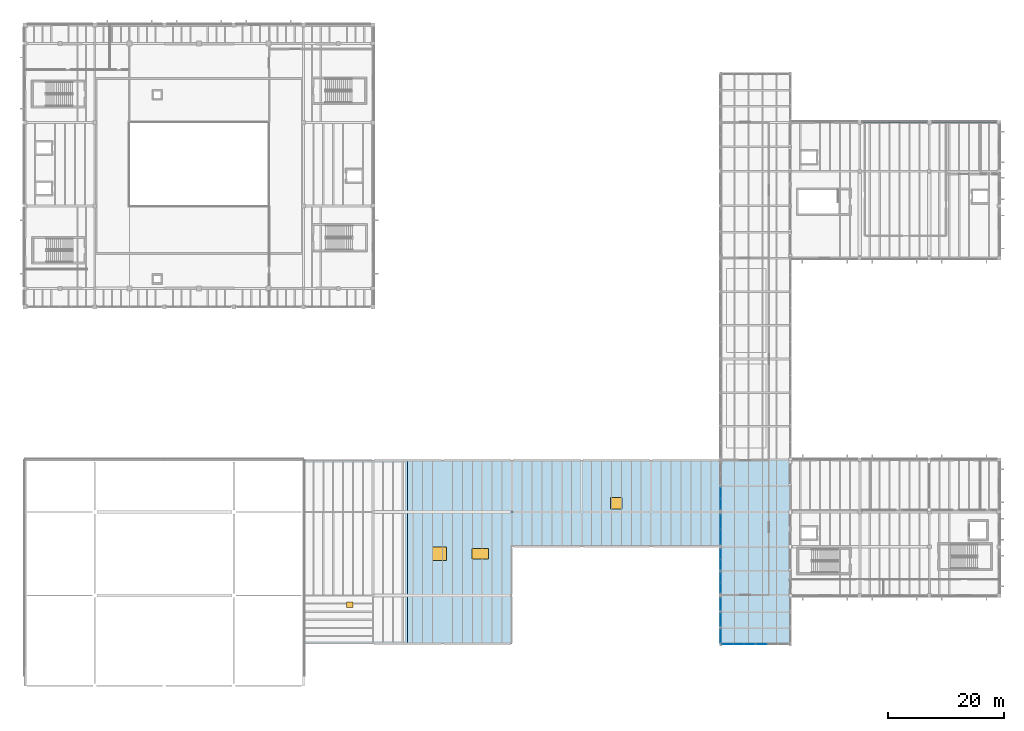
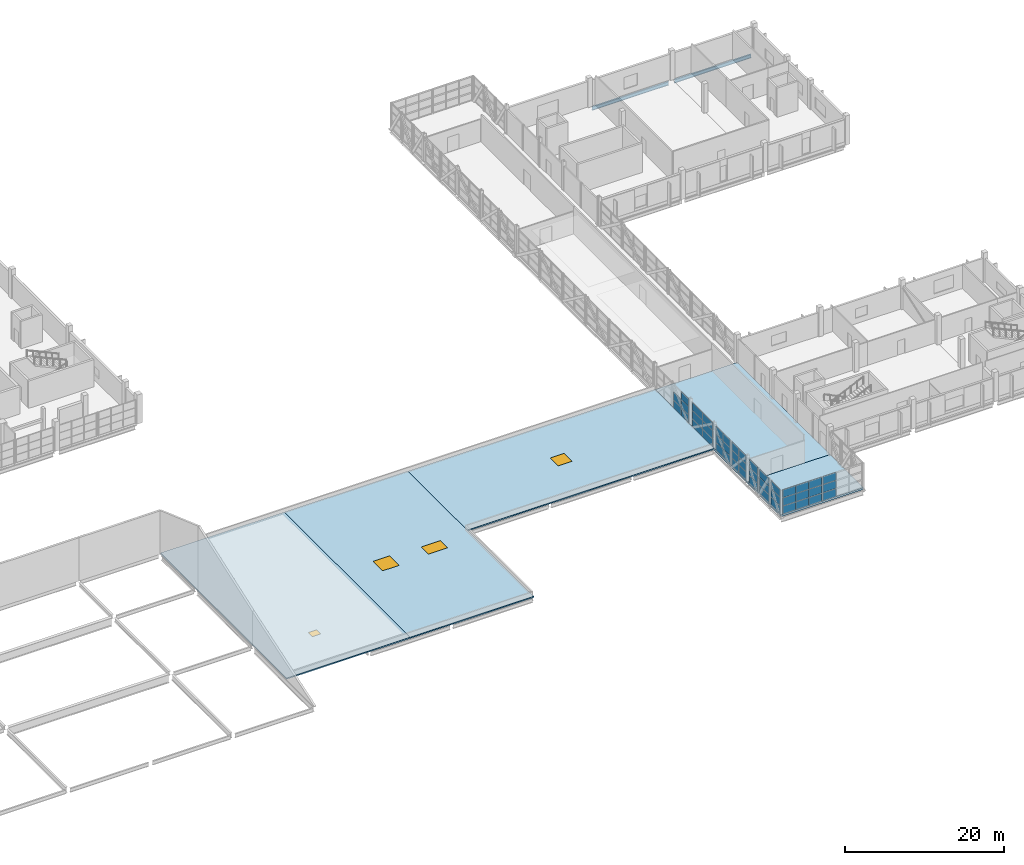
# One storey, part 39 of 63: 44 plates, 5 slabs, 3 windows, 2 beams, 1 door, 4 openings, 9 elements without a shape of their own.
"""IFC4 building model written with IfcOpenShell, lengths in metres."""

from ifc_helpers import new_model, si_unit, direction, frame, origin, origin_2d, place, context, subcontext, project, spatial, polyline, rectangle, i_section, outline, extrude, material, layer, layer_set, material_profile, profile_set, type_object, element, fill, aggregate, save


model = new_model("IFC4")

# Units and contexts
model_context = context("Model", 3, precision=1e-05, world=origin(), true_north=direction((0.0, 1.0)))
body_context = subcontext(model_context, "Body", "Model", "MODEL_VIEW")
ifc_project = project(units=[si_unit("LENGTHUNIT", "METRE"), si_unit("AREAUNIT", "SQUARE_METRE"), si_unit("VOLUMEUNIT", "CUBIC_METRE"), si_unit("PLANEANGLEUNIT", "RADIAN"), si_unit("MASSUNIT", "GRAM", prefix="KILO")], contexts=[model_context])

# Site, building, storey
site_placement = place(None, origin())
site = spatial("IfcSite", under=ifc_project, at=site_placement, CompositionType="ELEMENT")
building_placement = place(site_placement, origin())
building = spatial("IfcBuilding", under=site, at=building_placement, Name="Kelmvaro Bay Concert Hall", CompositionType="ELEMENT")
storey_placement = place(building_placement, frame((0.0, 0.0, 13.800048828125)))
storey = spatial("IfcBuildingStorey", under=building, at=storey_placement, Name="L03", CompositionType="ELEMENT", Elevation=13.800048828125)

# Beams
ifc_material_1 = material(Name="Steel ASTM A992 Grade 50", Category="steel")
ifc_material_profile = material_profile(ifc_material_1, i_section(OverallWidth=0.2099609375, OverallDepth=0.535888671875, WebThickness=0.010986328125, FlangeThickness=0.017333984375, at=origin_2d()), Name="W21X68")
ifc_profile_set = profile_set([ifc_material_profile], Name="Steel ASTM A992 Grade 50")
beam_type = type_object("IfcBeamType", Name="Crystal Roof Tie Girder W21x68", PredefinedType="BEAM", material=ifc_profile_set)
for number, where, z_axis, x_axis, name in (
    (1, (144.425048828125, 97.199951171875, -0.548095703125), (1.0, 0.0, 0.0), (0.0, 1.0, 0.0), "L03 Girder BM-L03-EW-1394"),
    (2, (156.425048828125, 97.199951171875, -0.548095703125), (1.0, 0.0, 0.0), (0.0, 1.0, 0.0), "L03 Girder BM-L03-EW-1395"),
):
    element("IfcBeam", number, at=place(storey_placement, frame(where, z_axis=z_axis, x_axis=x_axis)), inside=storey, type_object=beam_type, Name=name, PredefinedType="BEAM", context=body_context, shape_type="SweptSolid", body=[
        extrude(i_section(OverallWidth=0.2099609375, OverallDepth=0.535888671875, WebThickness=0.010986328125, FlangeThickness=0.017333984375, at=origin_2d()), origin(), (0.0, 0.0, 1.0), 11.14990234375),
    ])

# Slabs
ifc_material_2 = material(Name="Concrete C40/50", Category="concrete")
ifc_layer_1 = layer(ifc_material_2, 0.2900390625)
ifc_layer_set_1 = layer_set([ifc_layer_1], Name="Concrete C40/50")
slab_type_1 = type_object("IfcSlabType", Name="Bridge Composite Deck Slab 290", PredefinedType="FLOOR", material=ifc_layer_set_1)
slab_1_placement = place(storey_placement, frame((0.0, 0.0, -0.2900390625)))
element("IfcSlab", 3, at=slab_1_placement, inside=storey, type_object=slab_type_1, Name="L03 Structural Slab BRG-SC", PredefinedType="FLOOR", context=body_context, shape_type="SweptSolid", body=[
    extrude(outline(polyline([(120.0, 7.199951171875), (132.0, 7.199951171875), (132.0, 15.60009765625), (120.0, 15.60009765625), (120.0, 7.199951171875)])), origin(), (0.0, 0.0, 1.0), 0.2900390625),
])
slab_2_placement = place(storey_placement, frame((0.0, 0.0, -0.2900390625)))
element("IfcSlab", 4, at=slab_2_placement, inside=storey, type_object=slab_type_1, Name="L03 Structural Slab BRG-S1", PredefinedType="FLOOR", context=body_context, shape_type="SweptSolid", body=[
    extrude(outline(polyline([(120.0, 15.60009765625), (132.0, 15.60009765625), (132.0, 39.0), (120.0, 39.0), (120.0, 15.60009765625)])), origin(), (0.0, 0.0, 1.0), 0.2900390625),
])

# Curtain wall, plates
ifc_material_3 = material(Name="Anodised Aluminium and Low-E Insulated Glazing", Category="aluminium")
curtain_wall_type_1 = type_object("IfcCurtainWallType", Name="Bridge Cantilever Observation Glazing 3980", PredefinedType="USERDEFINED", material=ifc_material_3)
curtain_wall_1_placement = place(storey_placement, origin())
curtain_wall_1 = element("IfcCurtainWall", 5, at=curtain_wall_1_placement, inside=storey, type_object=curtain_wall_type_1, Name="Unitised Curtain Wall CW-BRG-W01", ObjectType="UNITISED GLAZING", PredefinedType="USERDEFINED")
ifc_material_4 = material(Name="Laminated Low-E Insulated Glass", Category="glass")
ifc_layer_2 = layer(ifc_material_4, 1.85009765625)
ifc_layer_set_2 = layer_set([ifc_layer_2], Name="Laminated Low-E Insulated Glass")
plate_type = type_object("IfcPlateType", Name="Bridge Truss Acoustic Glazing Panel 44", PredefinedType="CURTAIN_PANEL", material=ifc_layer_set_2)
plate_1_placement = place(storey_placement, frame((120.0, 8.60009765625, 0.032470703125), z_axis=(0.0, 0.0, 1.0), x_axis=(0.0, 1.0, 0.0)))
plate_1 = element("IfcPlate", 6, at=plate_1_placement, type_object=plate_type, Name="CW-BRG-W01 Insulated Glazing Panel 01-1", PredefinedType="CURTAIN_PANEL", context=body_context, shape_type="SweptSolid", body=[
    extrude(rectangle(XDim=2.294921875, YDim=0.0439453125, at=origin_2d()), origin(), (0.0, 0.0, 1.0), 1.20166015625),
])
plate_2_placement = place(storey_placement, frame((120.0, 8.60009765625, 1.299072265625), z_axis=(0.0, 0.0, 1.0), x_axis=(0.0, 1.0, 0.0)))
plate_2 = element("IfcPlate", 7, at=plate_2_placement, type_object=plate_type, Name="CW-BRG-W01 Insulated Glazing Panel 01-2", PredefinedType="CURTAIN_PANEL", context=body_context, shape_type="SweptSolid", body=[
    extrude(rectangle(XDim=2.294921875, YDim=0.0439453125, at=origin_2d()), origin(), (0.0, 0.0, 1.0), 1.20166015625),
])
plate_3_placement = place(storey_placement, frame((120.0, 8.60009765625, 2.56591796875), z_axis=(0.0, 0.0, 1.0), x_axis=(0.0, 1.0, 0.0)))
plate_3 = element("IfcPlate", 8, at=plate_3_placement, type_object=plate_type, Name="CW-BRG-W01 Insulated Glazing Panel 01-3", PredefinedType="CURTAIN_PANEL", context=body_context, shape_type="SweptSolid", body=[
    extrude(rectangle(XDim=2.294921875, YDim=0.0439453125, at=origin_2d()), origin(), (0.0, 0.0, 1.0), 1.20166015625),
])
aggregate(curtain_wall_1, [plate_1, plate_2, plate_3])

curtain_wall_2_placement = place(storey_placement, origin())
curtain_wall_2 = element("IfcCurtainWall", 9, at=curtain_wall_2_placement, inside=storey, type_object=curtain_wall_type_1, Name="Unitised Curtain Wall CW-BRG-W02", ObjectType="UNITISED GLAZING", PredefinedType="USERDEFINED")
plate_4_placement = place(storey_placement, frame((120.0, 11.39990234375, 0.032470703125), z_axis=(0.0, 0.0, 1.0), x_axis=(0.0, 1.0, 0.0)))
plate_4 = element("IfcPlate", 10, at=plate_4_placement, type_object=plate_type, Name="CW-BRG-W02 Insulated Glazing Panel 01-1", PredefinedType="CURTAIN_PANEL", context=body_context, shape_type="SweptSolid", body=[
    extrude(rectangle(XDim=2.294921875, YDim=0.0439453125, at=origin_2d()), origin(), (0.0, 0.0, 1.0), 1.20166015625),
])
plate_5_placement = place(storey_placement, frame((120.0, 11.39990234375, 1.299072265625), z_axis=(0.0, 0.0, 1.0), x_axis=(0.0, 1.0, 0.0)))
plate_5 = element("IfcPlate", 11, at=plate_5_placement, type_object=plate_type, Name="CW-BRG-W02 Insulated Glazing Panel 01-2", PredefinedType="CURTAIN_PANEL", context=body_context, shape_type="SweptSolid", body=[
    extrude(rectangle(XDim=2.294921875, YDim=0.0439453125, at=origin_2d()), origin(), (0.0, 0.0, 1.0), 1.20166015625),
])
plate_6_placement = place(storey_placement, frame((120.0, 11.39990234375, 2.56591796875), z_axis=(0.0, 0.0, 1.0), x_axis=(0.0, 1.0, 0.0)))
plate_6 = element("IfcPlate", 12, at=plate_6_placement, type_object=plate_type, Name="CW-BRG-W02 Insulated Glazing Panel 01-3", PredefinedType="CURTAIN_PANEL", context=body_context, shape_type="SweptSolid", body=[
    extrude(rectangle(XDim=2.294921875, YDim=0.0439453125, at=origin_2d()), origin(), (0.0, 0.0, 1.0), 1.20166015625),
])
aggregate(curtain_wall_2, [plate_4, plate_5, plate_6])

curtain_wall_3_placement = place(storey_placement, origin())
curtain_wall_3 = element("IfcCurtainWall", 13, at=curtain_wall_3_placement, inside=storey, type_object=curtain_wall_type_1, Name="Unitised Curtain Wall CW-BRG-W03", ObjectType="UNITISED GLAZING", PredefinedType="USERDEFINED")
plate_7_placement = place(storey_placement, frame((120.0, 14.10009765625, 0.032470703125), z_axis=(0.0, 0.0, 1.0), x_axis=(0.0, 1.0, 0.0)))
plate_7 = element("IfcPlate", 14, at=plate_7_placement, type_object=plate_type, Name="CW-BRG-W03 Insulated Glazing Panel 01-1", PredefinedType="CURTAIN_PANEL", context=body_context, shape_type="SweptSolid", body=[
    extrude(rectangle(XDim=2.094970703125, YDim=0.0439453125, at=origin_2d()), origin(), (0.0, 0.0, 1.0), 1.20166015625),
])
plate_8_placement = place(storey_placement, frame((120.0, 14.10009765625, 1.299072265625), z_axis=(0.0, 0.0, 1.0), x_axis=(0.0, 1.0, 0.0)))
plate_8 = element("IfcPlate", 15, at=plate_8_placement, type_object=plate_type, Name="CW-BRG-W03 Insulated Glazing Panel 01-2", PredefinedType="CURTAIN_PANEL", context=body_context, shape_type="SweptSolid", body=[
    extrude(rectangle(XDim=2.094970703125, YDim=0.0439453125, at=origin_2d()), origin(), (0.0, 0.0, 1.0), 1.20166015625),
])
plate_9_placement = place(storey_placement, frame((120.0, 14.10009765625, 2.56591796875), z_axis=(0.0, 0.0, 1.0), x_axis=(0.0, 1.0, 0.0)))
plate_9 = element("IfcPlate", 16, at=plate_9_placement, type_object=plate_type, Name="CW-BRG-W03 Insulated Glazing Panel 01-3", PredefinedType="CURTAIN_PANEL", context=body_context, shape_type="SweptSolid", body=[
    extrude(rectangle(XDim=2.094970703125, YDim=0.0439453125, at=origin_2d()), origin(), (0.0, 0.0, 1.0), 1.20166015625),
])
aggregate(curtain_wall_3, [plate_7, plate_8, plate_9])

ifc_material_5 = material(Name="Anodised Aluminium and Low-E Insulated Glazing", Category="aluminium")
curtain_wall_type_2 = type_object("IfcCurtainWallType", Name="Rehearsal Bridge Truss Curtain Wall 4020", PredefinedType="USERDEFINED", material=ifc_material_5)
curtain_wall_4_placement = place(storey_placement, origin())
curtain_wall_4 = element("IfcCurtainWall", 17, at=curtain_wall_4_placement, inside=storey, type_object=curtain_wall_type_2, Name="Unitised Curtain Wall CW-BRG-W04", ObjectType="UNITISED GLAZING", PredefinedType="USERDEFINED")
plate_10_placement = place(storey_placement, frame((120.0, 16.909912109375, 0.032470703125), z_axis=(0.0, 0.0, 1.0), x_axis=(0.0, 1.0, 0.0)))
plate_10 = element("IfcPlate", 18, at=plate_10_placement, type_object=plate_type, Name="CW-BRG-W04 Insulated Glazing Panel 01-1", PredefinedType="CURTAIN_PANEL", context=body_context, shape_type="SweptSolid", body=[
    extrude(rectangle(XDim=1.715087890625, YDim=0.0439453125, at=origin_2d()), origin(), (0.0, 0.0, 1.0), 1.20166015625),
])
plate_11_placement = place(storey_placement, frame((120.0, 16.909912109375, 1.299072265625), z_axis=(0.0, 0.0, 1.0), x_axis=(0.0, 1.0, 0.0)))
plate_11 = element("IfcPlate", 19, at=plate_11_placement, type_object=plate_type, Name="CW-BRG-W04 Insulated Glazing Panel 01-2", PredefinedType="CURTAIN_PANEL", context=body_context, shape_type="SweptSolid", body=[
    extrude(rectangle(XDim=1.715087890625, YDim=0.0439453125, at=origin_2d()), origin(), (0.0, 0.0, 1.0), 1.20166015625),
])
plate_12_placement = place(storey_placement, frame((120.0, 16.909912109375, 2.56591796875), z_axis=(0.0, 0.0, 1.0), x_axis=(0.0, 1.0, 0.0)))
plate_12 = element("IfcPlate", 20, at=plate_12_placement, type_object=plate_type, Name="CW-BRG-W04 Insulated Glazing Panel 01-3", PredefinedType="CURTAIN_PANEL", context=body_context, shape_type="SweptSolid", body=[
    extrude(rectangle(XDim=1.715087890625, YDim=0.0439453125, at=origin_2d()), origin(), (0.0, 0.0, 1.0), 1.20166015625),
])
plate_13_placement = place(storey_placement, frame((120.0, 18.68994140625, 0.032470703125), z_axis=(0.0, 0.0, 1.0), x_axis=(0.0, 1.0, 0.0)))
plate_13 = element("IfcPlate", 21, at=plate_13_placement, type_object=plate_type, Name="CW-BRG-W04 Insulated Glazing Panel 02-1", PredefinedType="CURTAIN_PANEL", context=body_context, shape_type="SweptSolid", body=[
    extrude(rectangle(XDim=1.715087890625, YDim=0.0439453125, at=origin_2d()), origin(), (0.0, 0.0, 1.0), 1.20166015625),
])
plate_14_placement = place(storey_placement, frame((120.0, 18.68994140625, 1.299072265625), z_axis=(0.0, 0.0, 1.0), x_axis=(0.0, 1.0, 0.0)))
plate_14 = element("IfcPlate", 22, at=plate_14_placement, type_object=plate_type, Name="CW-BRG-W04 Insulated Glazing Panel 02-2", PredefinedType="CURTAIN_PANEL", context=body_context, shape_type="SweptSolid", body=[
    extrude(rectangle(XDim=1.715087890625, YDim=0.0439453125, at=origin_2d()), origin(), (0.0, 0.0, 1.0), 1.20166015625),
])
plate_15_placement = place(storey_placement, frame((120.0, 18.68994140625, 2.56591796875), z_axis=(0.0, 0.0, 1.0), x_axis=(0.0, 1.0, 0.0)))
plate_15 = element("IfcPlate", 23, at=plate_15_placement, type_object=plate_type, Name="CW-BRG-W04 Insulated Glazing Panel 02-3", PredefinedType="CURTAIN_PANEL", context=body_context, shape_type="SweptSolid", body=[
    extrude(rectangle(XDim=1.715087890625, YDim=0.0439453125, at=origin_2d()), origin(), (0.0, 0.0, 1.0), 1.20166015625),
])
aggregate(curtain_wall_4, [plate_10, plate_11, plate_12, plate_13, plate_14, plate_15])

curtain_wall_5_placement = place(storey_placement, origin())
curtain_wall_5 = element("IfcCurtainWall", 24, at=curtain_wall_5_placement, inside=storey, type_object=curtain_wall_type_2, Name="Unitised Curtain Wall CW-BRG-W05", ObjectType="UNITISED GLAZING", PredefinedType="USERDEFINED")
plate_16_placement = place(storey_placement, frame((120.0, 20.909912109375, 0.032470703125), z_axis=(0.0, 0.0, 1.0), x_axis=(0.0, 1.0, 0.0)))
plate_16 = element("IfcPlate", 25, at=plate_16_placement, type_object=plate_type, Name="CW-BRG-W05 Insulated Glazing Panel 01-1", PredefinedType="CURTAIN_PANEL", context=body_context, shape_type="SweptSolid", body=[
    extrude(rectangle(XDim=1.715087890625, YDim=0.0439453125, at=origin_2d()), origin(), (0.0, 0.0, 1.0), 1.20166015625),
])
plate_17_placement = place(storey_placement, frame((120.0, 20.909912109375, 1.299072265625), z_axis=(0.0, 0.0, 1.0), x_axis=(0.0, 1.0, 0.0)))
plate_17 = element("IfcPlate", 26, at=plate_17_placement, type_object=plate_type, Name="CW-BRG-W05 Insulated Glazing Panel 01-2", PredefinedType="CURTAIN_PANEL", context=body_context, shape_type="SweptSolid", body=[
    extrude(rectangle(XDim=1.715087890625, YDim=0.0439453125, at=origin_2d()), origin(), (0.0, 0.0, 1.0), 1.20166015625),
])
plate_18_placement = place(storey_placement, frame((120.0, 20.909912109375, 2.56591796875), z_axis=(0.0, 0.0, 1.0), x_axis=(0.0, 1.0, 0.0)))
plate_18 = element("IfcPlate", 27, at=plate_18_placement, type_object=plate_type, Name="CW-BRG-W05 Insulated Glazing Panel 01-3", PredefinedType="CURTAIN_PANEL", context=body_context, shape_type="SweptSolid", body=[
    extrude(rectangle(XDim=1.715087890625, YDim=0.0439453125, at=origin_2d()), origin(), (0.0, 0.0, 1.0), 1.20166015625),
])
plate_19_placement = place(storey_placement, frame((120.0, 22.68994140625, 0.032470703125), z_axis=(0.0, 0.0, 1.0), x_axis=(0.0, 1.0, 0.0)))
plate_19 = element("IfcPlate", 28, at=plate_19_placement, type_object=plate_type, Name="CW-BRG-W05 Insulated Glazing Panel 02-1", PredefinedType="CURTAIN_PANEL", context=body_context, shape_type="SweptSolid", body=[
    extrude(rectangle(XDim=1.715087890625, YDim=0.0439453125, at=origin_2d()), origin(), (0.0, 0.0, 1.0), 1.20166015625),
])
plate_20_placement = place(storey_placement, frame((120.0, 22.68994140625, 1.299072265625), z_axis=(0.0, 0.0, 1.0), x_axis=(0.0, 1.0, 0.0)))
plate_20 = element("IfcPlate", 29, at=plate_20_placement, type_object=plate_type, Name="CW-BRG-W05 Insulated Glazing Panel 02-2", PredefinedType="CURTAIN_PANEL", context=body_context, shape_type="SweptSolid", body=[
    extrude(rectangle(XDim=1.715087890625, YDim=0.0439453125, at=origin_2d()), origin(), (0.0, 0.0, 1.0), 1.20166015625),
])
plate_21_placement = place(storey_placement, frame((120.0, 22.68994140625, 2.56591796875), z_axis=(0.0, 0.0, 1.0), x_axis=(0.0, 1.0, 0.0)))
plate_21 = element("IfcPlate", 30, at=plate_21_placement, type_object=plate_type, Name="CW-BRG-W05 Insulated Glazing Panel 02-3", PredefinedType="CURTAIN_PANEL", context=body_context, shape_type="SweptSolid", body=[
    extrude(rectangle(XDim=1.715087890625, YDim=0.0439453125, at=origin_2d()), origin(), (0.0, 0.0, 1.0), 1.20166015625),
])
aggregate(curtain_wall_5, [plate_16, plate_17, plate_18, plate_19, plate_20, plate_21])

curtain_wall_6_placement = place(storey_placement, origin())
curtain_wall_6 = element("IfcCurtainWall", 31, at=curtain_wall_6_placement, inside=storey, type_object=curtain_wall_type_2, Name="Unitised Curtain Wall CW-BRG-W06", ObjectType="UNITISED GLAZING", PredefinedType="USERDEFINED")
plate_22_placement = place(storey_placement, frame((120.0, 25.7099609375, 0.032470703125), z_axis=(0.0, 0.0, 1.0), x_axis=(0.0, 1.0, 0.0)))
plate_22 = element("IfcPlate", 32, at=plate_22_placement, type_object=plate_type, Name="CW-BRG-W06 Insulated Glazing Panel 01-1", PredefinedType="CURTAIN_PANEL", context=body_context, shape_type="SweptSolid", body=[
    extrude(rectangle(XDim=2.514892578125, YDim=0.0439453125, at=origin_2d()), origin(), (0.0, 0.0, 1.0), 1.20166015625),
])
plate_23_placement = place(storey_placement, frame((120.0, 25.7099609375, 1.299072265625), z_axis=(0.0, 0.0, 1.0), x_axis=(0.0, 1.0, 0.0)))
plate_23 = element("IfcPlate", 33, at=plate_23_placement, type_object=plate_type, Name="CW-BRG-W06 Insulated Glazing Panel 01-2", PredefinedType="CURTAIN_PANEL", context=body_context, shape_type="SweptSolid", body=[
    extrude(rectangle(XDim=2.514892578125, YDim=0.0439453125, at=origin_2d()), origin(), (0.0, 0.0, 1.0), 1.20166015625),
])
plate_24_placement = place(storey_placement, frame((120.0, 25.7099609375, 2.56591796875), z_axis=(0.0, 0.0, 1.0), x_axis=(0.0, 1.0, 0.0)))
plate_24 = element("IfcPlate", 34, at=plate_24_placement, type_object=plate_type, Name="CW-BRG-W06 Insulated Glazing Panel 01-3", PredefinedType="CURTAIN_PANEL", context=body_context, shape_type="SweptSolid", body=[
    extrude(rectangle(XDim=2.514892578125, YDim=0.0439453125, at=origin_2d()), origin(), (0.0, 0.0, 1.0), 1.20166015625),
])
plate_25_placement = place(storey_placement, frame((120.0, 28.2900390625, 0.032470703125), z_axis=(0.0, 0.0, 1.0), x_axis=(0.0, 1.0, 0.0)))
plate_25 = element("IfcPlate", 35, at=plate_25_placement, type_object=plate_type, Name="CW-BRG-W06 Insulated Glazing Panel 02-1", PredefinedType="CURTAIN_PANEL", context=body_context, shape_type="SweptSolid", body=[
    extrude(rectangle(XDim=2.514892578125, YDim=0.0439453125, at=origin_2d()), origin(), (0.0, 0.0, 1.0), 1.20166015625),
])
plate_26_placement = place(storey_placement, frame((120.0, 28.2900390625, 1.299072265625), z_axis=(0.0, 0.0, 1.0), x_axis=(0.0, 1.0, 0.0)))
plate_26 = element("IfcPlate", 36, at=plate_26_placement, type_object=plate_type, Name="CW-BRG-W06 Insulated Glazing Panel 02-2", PredefinedType="CURTAIN_PANEL", context=body_context, shape_type="SweptSolid", body=[
    extrude(rectangle(XDim=2.514892578125, YDim=0.0439453125, at=origin_2d()), origin(), (0.0, 0.0, 1.0), 1.20166015625),
])
plate_27_placement = place(storey_placement, frame((120.0, 28.2900390625, 2.56591796875), z_axis=(0.0, 0.0, 1.0), x_axis=(0.0, 1.0, 0.0)))
plate_27 = element("IfcPlate", 37, at=plate_27_placement, type_object=plate_type, Name="CW-BRG-W06 Insulated Glazing Panel 02-3", PredefinedType="CURTAIN_PANEL", context=body_context, shape_type="SweptSolid", body=[
    extrude(rectangle(XDim=2.514892578125, YDim=0.0439453125, at=origin_2d()), origin(), (0.0, 0.0, 1.0), 1.20166015625),
])
aggregate(curtain_wall_6, [plate_22, plate_23, plate_24, plate_25, plate_26, plate_27])

curtain_wall_7_placement = place(storey_placement, origin())
curtain_wall_7 = element("IfcCurtainWall", 38, at=curtain_wall_7_placement, inside=storey, type_object=curtain_wall_type_2, Name="Unitised Curtain Wall CW-BRG-W07", ObjectType="UNITISED GLAZING", PredefinedType="USERDEFINED")
plate_28_placement = place(storey_placement, frame((120.0, 31.385009765625, 0.032470703125), z_axis=(0.0, 0.0, 1.0), x_axis=(0.0, 1.0, 0.0)))
plate_28 = element("IfcPlate", 39, at=plate_28_placement, type_object=plate_type, Name="CW-BRG-W07 Insulated Glazing Panel 01-1", PredefinedType="CURTAIN_PANEL", context=body_context, shape_type="SweptSolid", body=[
    extrude(rectangle(XDim=1.864990234375, YDim=0.0439453125, at=origin_2d()), origin(), (0.0, 0.0, 1.0), 1.20166015625),
])
plate_29_placement = place(storey_placement, frame((120.0, 31.385009765625, 1.299072265625), z_axis=(0.0, 0.0, 1.0), x_axis=(0.0, 1.0, 0.0)))
plate_29 = element("IfcPlate", 40, at=plate_29_placement, type_object=plate_type, Name="CW-BRG-W07 Insulated Glazing Panel 01-2", PredefinedType="CURTAIN_PANEL", context=body_context, shape_type="SweptSolid", body=[
    extrude(rectangle(XDim=1.864990234375, YDim=0.0439453125, at=origin_2d()), origin(), (0.0, 0.0, 1.0), 1.20166015625),
])
plate_30_placement = place(storey_placement, frame((120.0, 31.385009765625, 2.56591796875), z_axis=(0.0, 0.0, 1.0), x_axis=(0.0, 1.0, 0.0)))
plate_30 = element("IfcPlate", 41, at=plate_30_placement, type_object=plate_type, Name="CW-BRG-W07 Insulated Glazing Panel 01-3", PredefinedType="CURTAIN_PANEL", context=body_context, shape_type="SweptSolid", body=[
    extrude(rectangle(XDim=1.864990234375, YDim=0.0439453125, at=origin_2d()), origin(), (0.0, 0.0, 1.0), 1.20166015625),
])
plate_31_placement = place(storey_placement, frame((120.0, 33.31494140625, 0.032470703125), z_axis=(0.0, 0.0, 1.0), x_axis=(0.0, 1.0, 0.0)))
plate_31 = element("IfcPlate", 42, at=plate_31_placement, type_object=plate_type, Name="CW-BRG-W07 Insulated Glazing Panel 02-1", PredefinedType="CURTAIN_PANEL", context=body_context, shape_type="SweptSolid", body=[
    extrude(rectangle(XDim=1.864990234375, YDim=0.0439453125, at=origin_2d()), origin(), (0.0, 0.0, 1.0), 1.20166015625),
])
plate_32_placement = place(storey_placement, frame((120.0, 33.31494140625, 1.299072265625), z_axis=(0.0, 0.0, 1.0), x_axis=(0.0, 1.0, 0.0)))
plate_32 = element("IfcPlate", 43, at=plate_32_placement, type_object=plate_type, Name="CW-BRG-W07 Insulated Glazing Panel 02-2", PredefinedType="CURTAIN_PANEL", context=body_context, shape_type="SweptSolid", body=[
    extrude(rectangle(XDim=1.864990234375, YDim=0.0439453125, at=origin_2d()), origin(), (0.0, 0.0, 1.0), 1.20166015625),
])
aggregate(curtain_wall_7, [plate_28, plate_29, plate_30, plate_31, plate_32])

curtain_wall_8_placement = place(storey_placement, origin())
curtain_wall_8 = element("IfcCurtainWall", 44, at=curtain_wall_8_placement, inside=storey, type_object=curtain_wall_type_1, Name="Unitised Curtain Wall CW-BRG-SEND1", ObjectType="UNITISED GLAZING", PredefinedType="USERDEFINED")
plate_33_placement = place(storey_placement, frame((124.953369140625, 7.199951171875, 0.032470703125), z_axis=(0.0, 0.0, 1.0), x_axis=(-1.0, 0.0, 0.0)))
plate_33 = element("IfcPlate", 45, at=plate_33_placement, type_object=plate_type, Name="CW-BRG-SEND1 Insulated Glazing Panel 01-1", PredefinedType="CURTAIN_PANEL", context=body_context, shape_type="SweptSolid", body=[
    extrude(rectangle(XDim=1.828369140625, YDim=0.0439453125, at=origin_2d()), origin(), (0.0, 0.0, 1.0), 1.20166015625),
])
plate_34_placement = place(storey_placement, frame((124.953369140625, 7.199951171875, 1.299072265625), z_axis=(0.0, 0.0, 1.0), x_axis=(-1.0, 0.0, 0.0)))
plate_34 = element("IfcPlate", 46, at=plate_34_placement, type_object=plate_type, Name="CW-BRG-SEND1 Insulated Glazing Panel 01-2", PredefinedType="CURTAIN_PANEL", context=body_context, shape_type="SweptSolid", body=[
    extrude(rectangle(XDim=1.828369140625, YDim=0.0439453125, at=origin_2d()), origin(), (0.0, 0.0, 1.0), 1.20166015625),
])
plate_35_placement = place(storey_placement, frame((124.953369140625, 7.199951171875, 2.56591796875), z_axis=(0.0, 0.0, 1.0), x_axis=(-1.0, 0.0, 0.0)))
plate_35 = element("IfcPlate", 47, at=plate_35_placement, type_object=plate_type, Name="CW-BRG-SEND1 Insulated Glazing Panel 01-3", PredefinedType="CURTAIN_PANEL", context=body_context, shape_type="SweptSolid", body=[
    extrude(rectangle(XDim=1.828369140625, YDim=0.0439453125, at=origin_2d()), origin(), (0.0, 0.0, 1.0), 1.20166015625),
])
plate_36_placement = place(storey_placement, frame((123.06005859375, 7.199951171875, 0.032470703125), z_axis=(0.0, 0.0, 1.0), x_axis=(-1.0, 0.0, 0.0)))
plate_36 = element("IfcPlate", 48, at=plate_36_placement, type_object=plate_type, Name="CW-BRG-SEND1 Insulated Glazing Panel 02-1", PredefinedType="CURTAIN_PANEL", context=body_context, shape_type="SweptSolid", body=[
    extrude(rectangle(XDim=1.828369140625, YDim=0.0439453125, at=origin_2d()), origin(), (0.0, 0.0, 1.0), 1.20166015625),
])
plate_37_placement = place(storey_placement, frame((123.06005859375, 7.199951171875, 1.299072265625), z_axis=(0.0, 0.0, 1.0), x_axis=(-1.0, 0.0, 0.0)))
plate_37 = element("IfcPlate", 49, at=plate_37_placement, type_object=plate_type, Name="CW-BRG-SEND1 Insulated Glazing Panel 02-2", PredefinedType="CURTAIN_PANEL", context=body_context, shape_type="SweptSolid", body=[
    extrude(rectangle(XDim=1.828369140625, YDim=0.0439453125, at=origin_2d()), origin(), (0.0, 0.0, 1.0), 1.20166015625),
])
plate_38_placement = place(storey_placement, frame((123.06005859375, 7.199951171875, 2.56591796875), z_axis=(0.0, 0.0, 1.0), x_axis=(-1.0, 0.0, 0.0)))
plate_38 = element("IfcPlate", 50, at=plate_38_placement, type_object=plate_type, Name="CW-BRG-SEND1 Insulated Glazing Panel 02-3", PredefinedType="CURTAIN_PANEL", context=body_context, shape_type="SweptSolid", body=[
    extrude(rectangle(XDim=1.828369140625, YDim=0.0439453125, at=origin_2d()), origin(), (0.0, 0.0, 1.0), 1.20166015625),
])
plate_39_placement = place(storey_placement, frame((121.166748046875, 7.199951171875, 0.032470703125), z_axis=(0.0, 0.0, 1.0), x_axis=(-1.0, 0.0, 0.0)))
plate_39 = element("IfcPlate", 51, at=plate_39_placement, type_object=plate_type, Name="CW-BRG-SEND1 Insulated Glazing Panel 03-1", PredefinedType="CURTAIN_PANEL", context=body_context, shape_type="SweptSolid", body=[
    extrude(rectangle(XDim=1.828369140625, YDim=0.0439453125, at=origin_2d()), origin(), (0.0, 0.0, 1.0), 1.20166015625),
])
plate_40_placement = place(storey_placement, frame((121.166748046875, 7.199951171875, 1.299072265625), z_axis=(0.0, 0.0, 1.0), x_axis=(-1.0, 0.0, 0.0)))
plate_40 = element("IfcPlate", 52, at=plate_40_placement, type_object=plate_type, Name="CW-BRG-SEND1 Insulated Glazing Panel 03-2", PredefinedType="CURTAIN_PANEL", context=body_context, shape_type="SweptSolid", body=[
    extrude(rectangle(XDim=1.828369140625, YDim=0.0439453125, at=origin_2d()), origin(), (0.0, 0.0, 1.0), 1.20166015625),
])
plate_41_placement = place(storey_placement, frame((121.166748046875, 7.199951171875, 2.56591796875), z_axis=(0.0, 0.0, 1.0), x_axis=(-1.0, 0.0, 0.0)))
plate_41 = element("IfcPlate", 53, at=plate_41_placement, type_object=plate_type, Name="CW-BRG-SEND1 Insulated Glazing Panel 03-3", PredefinedType="CURTAIN_PANEL", context=body_context, shape_type="SweptSolid", body=[
    extrude(rectangle(XDim=1.828369140625, YDim=0.0439453125, at=origin_2d()), origin(), (0.0, 0.0, 1.0), 1.20166015625),
])
aggregate(curtain_wall_8, [plate_33, plate_34, plate_35, plate_36, plate_37, plate_38, plate_39, plate_40, plate_41])

curtain_wall_9_placement = place(storey_placement, origin())
curtain_wall_9 = element("IfcCurtainWall", 54, at=curtain_wall_9_placement, inside=storey, type_object=curtain_wall_type_1, Name="Unitised Curtain Wall CW-BRG-SEND2", ObjectType="UNITISED GLAZING", PredefinedType="USERDEFINED")
plate_42_placement = place(storey_placement, frame((127.046630859375, 7.199951171875, 0.032470703125), z_axis=(0.0, 0.0, 1.0), x_axis=(-1.0, 0.0, 0.0)))
plate_42 = element("IfcPlate", 55, at=plate_42_placement, type_object=plate_type, Name="CW-BRG-SEND2 Insulated Glazing Panel 03-1", PredefinedType="CURTAIN_PANEL", context=body_context, shape_type="SweptSolid", body=[
    extrude(rectangle(XDim=1.828369140625, YDim=0.0439453125, at=origin_2d()), origin(), (0.0, 0.0, 1.0), 1.20166015625),
])
plate_43_placement = place(storey_placement, frame((127.046630859375, 7.199951171875, 1.299072265625), z_axis=(0.0, 0.0, 1.0), x_axis=(-1.0, 0.0, 0.0)))
plate_43 = element("IfcPlate", 56, at=plate_43_placement, type_object=plate_type, Name="CW-BRG-SEND2 Insulated Glazing Panel 03-2", PredefinedType="CURTAIN_PANEL", context=body_context, shape_type="SweptSolid", body=[
    extrude(rectangle(XDim=1.828369140625, YDim=0.0439453125, at=origin_2d()), origin(), (0.0, 0.0, 1.0), 1.20166015625),
])
plate_44_placement = place(storey_placement, frame((127.046630859375, 7.199951171875, 2.56591796875), z_axis=(0.0, 0.0, 1.0), x_axis=(-1.0, 0.0, 0.0)))
plate_44 = element("IfcPlate", 57, at=plate_44_placement, type_object=plate_type, Name="CW-BRG-SEND2 Insulated Glazing Panel 03-3", PredefinedType="CURTAIN_PANEL", context=body_context, shape_type="SweptSolid", body=[
    extrude(rectangle(XDim=1.828369140625, YDim=0.0439453125, at=origin_2d()), origin(), (0.0, 0.0, 1.0), 1.20166015625),
])
aggregate(curtain_wall_9, [plate_42, plate_43, plate_44])

# Slab, opening, door
ifc_material_6 = material(Name="Concrete C40/50", Category="concrete")
ifc_layer_3 = layer(ifc_material_6, 0.18994140625)
ifc_layer_set_3 = layer_set([ifc_layer_3], Name="Concrete C40/50")
slab_type_2 = type_object("IfcSlabType", Name="Flat Terrace Roof Structural Slab 190", PredefinedType="ROOF", material=ifc_layer_set_3)
slab_3_placement = place(storey_placement, frame((0.0, 0.0, -0.130126953125)))
slab_3 = element("IfcSlab", 58, at=slab_3_placement, inside=storey, type_object=slab_type_2, Name="L03 Roof Slab RF-V5A", PredefinedType="ROOF", context=body_context, shape_type="SweptSolid", body=[
    extrude(outline(polyline([(48.0, 7.199951171875), (66.0, 7.199951171875), (66.0, 39.0), (48.0, 39.0), (48.0, 7.199951171875)])), origin(), (0.0, 0.0, 1.0), 0.190185546875),
])
opening_1_placement = place(slab_3_placement, frame((56.0, 14.0, 0.0)))
opening_1 = element("IfcOpeningElement", 59, at=opening_1_placement, cuts=slab_3, Name="Opening RH-01", PredefinedType="OPENING", context=body_context, shape_type="SweptSolid", body=[
    extrude(rectangle(XDim=1.199951171875, YDim=1.0, at=origin_2d()), origin(), (0.0, 0.0, 1.0), 0.190185546875),
])
ifc_material_7 = material(Name="Insulated Powder-Coated Aluminium", Category="aluminium")
door_type = type_object("IfcDoorType", Name="Insulated Roof Maintenance Hatch 1200x1000", OperationType="NOTDEFINED", PredefinedType="TRAPDOOR", material=ifc_material_7)
door_placement = place(opening_1_placement, frame((0.0, 0.0, 0.14013671875)))
door = element("IfcDoor", 60, at=door_placement, inside=storey, type_object=door_type, Name="L03 Roof Access Hatch 06", OperationType="SINGLE_SWING_LEFT", OverallHeight=1.0, OverallWidth=1.199951171875, PredefinedType="TRAPDOOR", context=body_context, shape_type="SweptSolid", body=[
    extrude(rectangle(XDim=1.199951171875, YDim=1.0, at=origin_2d()), origin(), (0.0, 0.0, 1.0), 0.050048828125),
])
fill(opening_1, door)

# Slab, openings, windows
slab_4_placement = place(storey_placement, frame((0.0, 0.0, -0.130126953125)))
slab_4 = element("IfcSlab", 61, at=slab_4_placement, inside=storey, type_object=slab_type_2, Name="L03 Roof Slab RF-V5AT", PredefinedType="ROOF", context=body_context, shape_type="SweptSolid", body=[
    extrude(outline(polyline([(66.0, 7.199951171875), (84.0, 7.199951171875), (84.0, 39.0), (66.0, 39.0), (66.0, 7.199951171875)])), origin(), (0.0, 0.0, 1.0), 0.190185546875),
])
opening_2_placement = place(slab_4_placement, frame((71.5, 22.800048828125, 0.0)))
opening_2 = element("IfcOpeningElement", 62, at=opening_2_placement, cuts=slab_4, Name="Opening SK-01", PredefinedType="OPENING", context=body_context, shape_type="SweptSolid", body=[
    extrude(rectangle(XDim=2.39990234375, YDim=2.39990234375, at=origin_2d()), origin(), (0.0, 0.0, 1.0), 0.190185546875),
])
opening_3_placement = place(slab_4_placement, frame((78.5, 22.800048828125, 0.0)))
opening_3 = element("IfcOpeningElement", 63, at=opening_3_placement, cuts=slab_4, Name="Opening SK-02", PredefinedType="OPENING", context=body_context, shape_type="SweptSolid", body=[
    extrude(rectangle(XDim=2.800048828125, YDim=1.800048828125, at=origin_2d()), origin(), (0.0, 0.0, 1.0), 0.190185546875),
])
ifc_material_8 = material(Name="Hurricane Laminated Insulated Skylight Glazing", Category="glass")
window_type_1 = type_object("IfcWindowType", Name="Concourse Lantern Skylight 2800x1800", PartitioningType="SINGLE_PANEL", PredefinedType="SKYLIGHT", material=ifc_material_8)
window_1_placement = place(opening_3_placement, frame((0.0, 0.0, 0.14013671875)))
window_1 = element("IfcWindow", 64, at=window_1_placement, inside=storey, type_object=window_type_1, Name="L03 Roof Skylight 06", OverallHeight=1.800048828125, OverallWidth=2.800048828125, PartitioningType="SINGLE_PANEL", PredefinedType="SKYLIGHT", context=body_context, shape_type="SweptSolid", body=[
    extrude(rectangle(XDim=2.800048828125, YDim=1.800048828125, at=origin_2d()), origin(), (0.0, 0.0, 1.0), 0.050048828125),
])
fill(opening_3, window_1)
ifc_material_9 = material(Name="Hurricane Laminated Insulated Skylight Glazing", Category="glass")
window_type_2 = type_object("IfcWindowType", Name="Foyer Daylight Skylight 2400x2400", PartitioningType="SINGLE_PANEL", PredefinedType="SKYLIGHT", material=ifc_material_9)
window_2_placement = place(opening_2_placement, frame((0.0, 0.0, 0.14013671875)))
window_2 = element("IfcWindow", 65, at=window_2_placement, inside=storey, type_object=window_type_2, Name="L03 Roof Skylight 05", OverallHeight=2.39990234375, OverallWidth=2.39990234375, PartitioningType="SINGLE_PANEL", PredefinedType="SKYLIGHT", context=body_context, shape_type="SweptSolid", body=[
    extrude(rectangle(XDim=2.39990234375, YDim=2.39990234375, at=origin_2d()), origin(), (0.0, 0.0, 1.0), 0.050048828125),
])
fill(opening_2, window_2)

# Slab, opening, window
slab_5_placement = place(storey_placement, frame((0.0, 0.0, -0.130126953125)))
slab_5 = element("IfcSlab", 66, at=slab_5_placement, inside=storey, type_object=slab_type_2, Name="L03 Roof Slab RF-V5B", PredefinedType="ROOF", context=body_context, shape_type="SweptSolid", body=[
    extrude(outline(polyline([(84.0, 24.0), (120.0, 24.0), (120.0, 39.0), (84.0, 39.0), (84.0, 24.0)])), origin(), (0.0, 0.0, 1.0), 0.190185546875),
])
opening_4_placement = place(slab_5_placement, frame((102.0, 31.5, 0.0)))
opening_4 = element("IfcOpeningElement", 67, at=opening_4_placement, cuts=slab_5, Name="Opening SK-03", PredefinedType="OPENING", context=body_context, shape_type="SweptSolid", body=[
    extrude(rectangle(XDim=2.0, YDim=2.0, at=origin_2d()), origin(), (0.0, 0.0, 1.0), 0.190185546875),
])
ifc_material_10 = material(Name="Hurricane Laminated Insulated Skylight Glazing", Category="glass")
window_type_3 = type_object("IfcWindowType", Name="Gallery Top-Light Skylight 2000x2000", PartitioningType="SINGLE_PANEL", PredefinedType="SKYLIGHT", material=ifc_material_10)
window_3_placement = place(opening_4_placement, frame((0.0, 0.0, 0.14013671875)))
window_3 = element("IfcWindow", 68, at=window_3_placement, inside=storey, type_object=window_type_3, Name="L03 Roof Skylight 07", OverallHeight=2.0, OverallWidth=2.0, PartitioningType="SINGLE_PANEL", PredefinedType="SKYLIGHT", context=body_context, shape_type="SweptSolid", body=[
    extrude(rectangle(XDim=2.0, YDim=2.0, at=origin_2d()), origin(), (0.0, 0.0, 1.0), 0.050048828125),
])
fill(opening_4, window_3)

save(model, "model.ifc")
